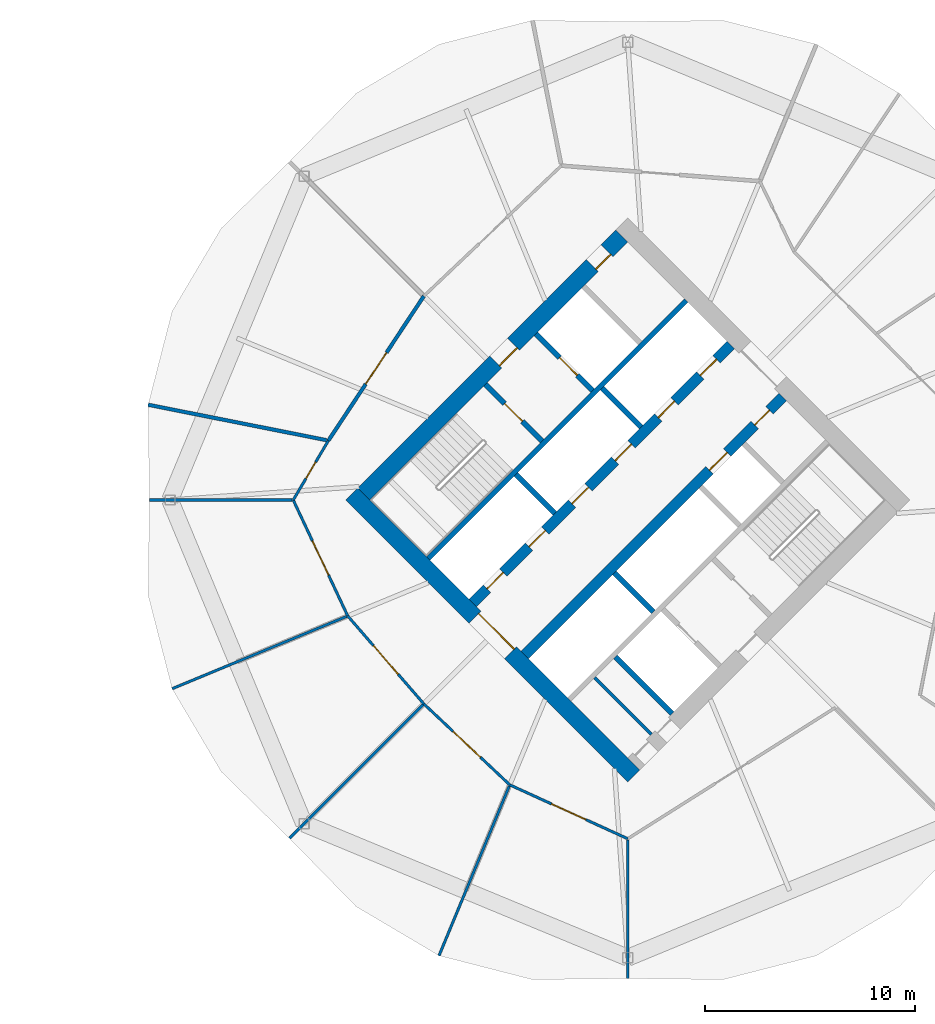
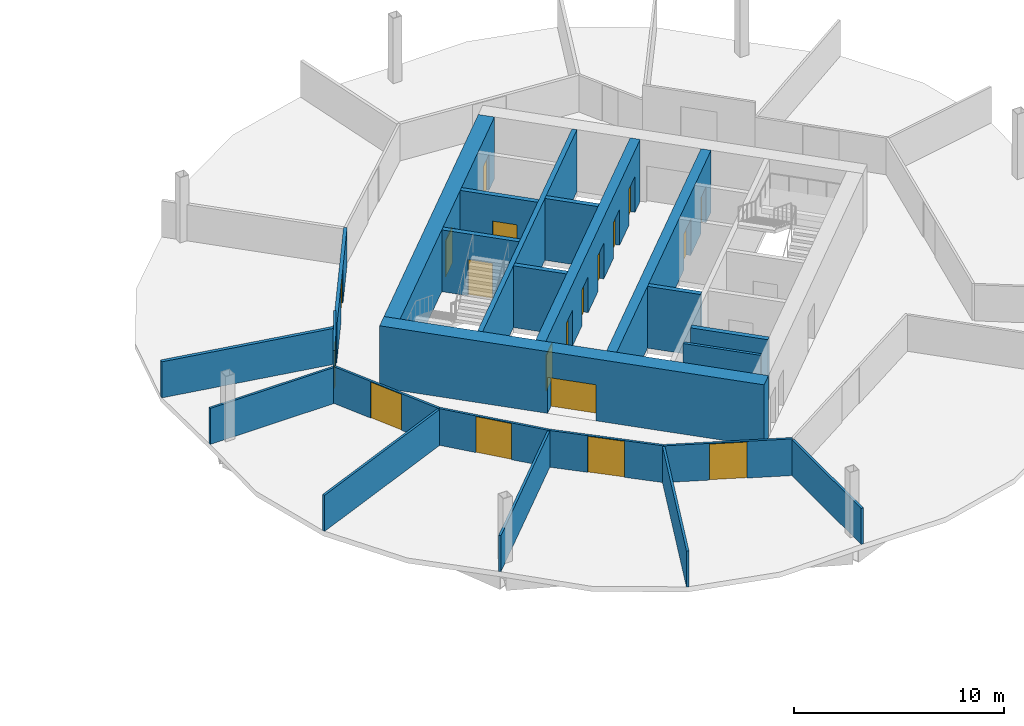
# One storey, part 6 of 9: 24 walls, 19 doors, 19 openings.
"""IFC4 building model written with IfcOpenShell, lengths in metres."""

from ifc_helpers import new_model, si_unit, direction, frame, frame_2d, origin, place, context, subcontext, project, spatial, rectangle, extrude, material, layer, layer_set, type_object, element, fill, save


model = new_model("IFC4")

# Units and contexts
model_context = context("Model", 3, precision=1e-05, world=origin(), true_north=direction((0.0, 1.0)))
body_context = subcontext(model_context, "Body", "Model", "MODEL_VIEW")
ifc_project = project(units=[si_unit("LENGTHUNIT", "METRE"), si_unit("AREAUNIT", "SQUARE_METRE"), si_unit("VOLUMEUNIT", "CUBIC_METRE"), si_unit("PLANEANGLEUNIT", "RADIAN"), si_unit("MASSUNIT", "GRAM", prefix="KILO")], contexts=[model_context])

# Site, building, storey
site_placement = place(None, origin())
site = spatial("IfcSite", under=ifc_project, at=site_placement, CompositionType="ELEMENT")
building_placement = place(site_placement, origin())
building = spatial("IfcBuilding", under=site, at=building_placement, Name="Ogive Gate Towers", CompositionType="ELEMENT")
storey_placement = place(building_placement, frame((0.0, 0.0, 48.0)))
storey = spatial("IfcBuildingStorey", under=building, at=storey_placement, Name="L10", CompositionType="ELEMENT", Elevation=48.0)

# Wall
ifc_material_1 = material(Name="Gypsum board acoustic partition")
ifc_layer_1 = layer(ifc_material_1, 0.175048828125)
ifc_layer_set_1 = layer_set([ifc_layer_1], Name="Acoustic partition 175")
wall_type_1 = type_object("IfcWallType", Name="Acoustic partition 175", PredefinedType="PARTITIONING", material=ifc_layer_set_1)
wall_1_placement = place(storey_placement, frame((13.146728515625, 4.5380859375, 0.0), z_axis=(0.0, 0.0, 1.0), x_axis=(0.980848307459, -0.194773195677, 0.0)))
element("IfcWall", 1, at=wall_1_placement, inside=storey, type_object=wall_type_1, Name="Partition T2-L10-007", PredefinedType="PARTITIONING", context=body_context, shape_type="SweptSolid", body=[
    extrude(rectangle(XDim=8.67138671875, YDim=0.175048828125, at=frame_2d((4.335693359375, 0.0))), origin(), (0.0, 0.0, 1.0), 2.10009765625),
])

# Wall, opening, door
wall_2_placement = place(storey_placement, frame((26.284423828125, 9.715576171875, 0.0), z_axis=(0.0, 0.0, 1.0), x_axis=(-0.551136963792, -0.834414793219, 0.0)))
wall_2 = element("IfcWall", 2, at=wall_2_placement, inside=storey, type_object=wall_type_1, Name="Partition T2-L10-021", PredefinedType="PARTITIONING", context=body_context, shape_type="SweptSolid", body=[
    extrude(rectangle(XDim=8.24951171875, YDim=0.175048828125, at=frame_2d((4.124755859375, 0.0))), origin(), (0.0, 0.0, 1.0), 2.139892578125),
])
opening_1_placement = place(wall_2_placement, frame((3.22509765625, 0.0, 0.0)))
opening_1 = element("IfcOpeningElement", 3, at=opening_1_placement, cuts=wall_2, Name="Opening T2-L10-D07", PredefinedType="OPENING", context=body_context, shape_type="SweptSolid", body=[
    extrude(rectangle(XDim=1.800048828125, YDim=2.10009765625, at=frame_2d((0.89990234375, 1.050048828125))), frame((0.0, 0.09765625, 0.0), z_axis=(0.0, -1.0, 0.0), x_axis=(1.0, 0.0, 0.0)), (0.0, 0.0, 1.0), 0.195068359375),
])
ifc_material_2 = material(Name="Timber door", Category="wood")
door_type_1 = type_object("IfcDoorType", Name="Door pair 1800", OperationType="NOTDEFINED", PredefinedType="DOOR", material=ifc_material_2)
door_1_placement = place(opening_1_placement, origin())
door_1 = element("IfcDoor", 4, at=door_1_placement, inside=storey, type_object=door_type_1, Name="Door T2-L10-D07", OperationType="DOUBLE_DOOR_DOUBLE_SWING", OverallHeight=2.10009765625, OverallWidth=1.800048828125, PredefinedType="DOOR", context=body_context, shape_type="SweptSolid", body=[
    extrude(rectangle(XDim=1.800048828125, YDim=2.10009765625, at=frame_2d((0.89990234375, 1.050048828125))), frame((0.0, 0.02490234375, 0.0), z_axis=(0.0, -1.0, 0.0), x_axis=(1.0, 0.0, 0.0)), (0.0, 0.0, 1.0), 0.050048828125),
])
fill(opening_1, door_1)

# Wall, openings, doors
ifc_material_3 = material(Name="Concrete C60/75", Category="concrete")
ifc_layer_2 = layer(ifc_material_3, 0.800048828125)
ifc_layer_set_2 = layer_set([ifc_layer_2], Name="Core wall 800 mm")
wall_type_2 = type_object("IfcWallType", Name="Core wall 800 mm", PredefinedType="SHEAR", material=ifc_layer_set_2)
wall_3_placement = place(storey_placement, frame((23.41357421875, 0.28271484375, 0.0), z_axis=(0.0, 0.0, 1.0), x_axis=(0.707106781187, 0.707106781187, 0.0)))
wall_3 = element("IfcWall", 5, at=wall_3_placement, inside=storey, type_object=wall_type_2, Name="T2 L10 Core wall 800 mm", PredefinedType="SHEAR", context=body_context, shape_type="SweptSolid", body=[
    extrude(rectangle(XDim=17.400146484375, YDim=0.800048828125, at=frame_2d((8.7001953125, 0.0))), origin(), (0.0, 0.0, 1.0), 3.60009765625),
])
opening_2_placement = place(wall_3_placement, frame((8.89990234375, 0.0, 0.0)))
opening_2 = element("IfcOpeningElement", 6, at=opening_2_placement, cuts=wall_3, Name="Opening KD-T2-L10-15", PredefinedType="OPENING", context=body_context, shape_type="SweptSolid", body=[
    extrude(rectangle(XDim=1.199951171875, YDim=2.10009765625, at=frame_2d((0.60009765625, 1.050048828125))), frame((0.0, 0.41015625, 0.0), z_axis=(0.0, -1.0, 0.0), x_axis=(1.0, 0.0, 0.0)), (0.0, 0.0, 1.0), 0.820068359375),
])
opening_3_placement = place(wall_3_placement, frame((15.39990234375, 0.0, 0.0)))
opening_3 = element("IfcOpeningElement", 7, at=opening_3_placement, cuts=wall_3, Name="Opening KD-T2-L10-17", PredefinedType="OPENING", context=body_context, shape_type="SweptSolid", body=[
    extrude(rectangle(XDim=1.0, YDim=2.10009765625, at=frame_2d((0.5, 1.050048828125))), frame((0.0, 0.41015625, 0.0), z_axis=(0.0, -1.0, 0.0), x_axis=(1.0, 0.0, 0.0)), (0.0, 0.0, 1.0), 0.820068359375),
])
door_type_2 = type_object("IfcDoorType", Name="Accessible WC door 1000 x 2100", OperationType="NOTDEFINED", PredefinedType="DOOR", material=ifc_material_2)
door_2_placement = place(opening_3_placement, origin())
door_2 = element("IfcDoor", 8, at=door_2_placement, inside=storey, type_object=door_type_2, Name="T2 L10 Core door", OperationType="SINGLE_SWING_RIGHT", OverallHeight=2.10009765625, OverallWidth=1.0, PredefinedType="DOOR", context=body_context, shape_type="SweptSolid", body=[
    extrude(rectangle(XDim=1.0, YDim=2.10009765625, at=frame_2d((0.5, 1.050048828125))), frame((0.0, -0.22509765625, 0.0), z_axis=(0.0, -1.0, 0.0), x_axis=(1.0, 0.0, 0.0)), (0.0, 0.0, 1.0), 0.050048828125),
])
fill(opening_3, door_2)
ifc_material_4 = material(Name="Steel fire door", Category="steel")
door_type_3 = type_object("IfcDoorType", Name="Core door FD60S 1200 x 2100", OperationType="NOTDEFINED", PredefinedType="DOOR", material=ifc_material_4)
door_3_placement = place(opening_2_placement, origin())
door_3 = element("IfcDoor", 9, at=door_3_placement, inside=storey, type_object=door_type_3, Name="T2 L10 Fire-fighting lobby door", OperationType="SINGLE_SWING_RIGHT", OverallHeight=2.10009765625, OverallWidth=1.199951171875, PredefinedType="DOOR", context=body_context, shape_type="SweptSolid", body=[
    extrude(rectangle(XDim=1.199951171875, YDim=2.10009765625, at=frame_2d((0.60009765625, 1.050048828125))), frame((0.0, -0.22509765625, 0.0), z_axis=(0.0, -1.0, 0.0), x_axis=(1.0, 0.0, 0.0)), (0.0, 0.0, 1.0), 0.050048828125),
])
fill(opening_2, door_3)

# Wall, opening, door
wall_4_placement = place(storey_placement, frame((36.28271484375, -13.152099609375, 0.0), z_axis=(0.0, 0.0, 1.0), x_axis=(-0.707106781187, 0.707106781187, 0.0)))
wall_4 = element("IfcWall", 10, at=wall_4_placement, inside=storey, type_object=wall_type_2, Name="T2 L10 Core wall 800 mm", PredefinedType="SHEAR", context=body_context, shape_type="SweptSolid", body=[
    extrude(rectangle(XDim=18.999755859375, YDim=0.800048828125, at=frame_2d((9.5, 0.0))), origin(), (0.0, 0.0, 1.0), 3.60009765625),
])
opening_4_placement = place(wall_4_placement, frame((8.300048828125, 0.0, 0.0)))
opening_4 = element("IfcOpeningElement", 11, at=opening_4_placement, cuts=wall_4, Name="Opening KD-T2-L10-01", PredefinedType="OPENING", context=body_context, shape_type="SweptSolid", body=[
    extrude(rectangle(XDim=2.39990234375, YDim=2.10009765625, at=frame_2d((1.199951171875, 1.050048828125))), frame((0.0, 0.41015625, 0.0), z_axis=(0.0, -1.0, 0.0), x_axis=(1.0, 0.0, 0.0)), (0.0, 0.0, 1.0), 0.820068359375),
])
door_type_4 = type_object("IfcDoorType", Name="Core double door FD60S 2400 x 2100", OperationType="DOUBLE_DOOR_SINGLE_SWING", PredefinedType="DOOR", material=ifc_material_4)
door_4_placement = place(opening_4_placement, origin())
door_4 = element("IfcDoor", 12, at=door_4_placement, inside=storey, type_object=door_type_4, Name="T2 L10 Core door double", OperationType="DOUBLE_DOOR_SINGLE_SWING", OverallHeight=2.10009765625, OverallWidth=2.39990234375, PredefinedType="DOOR", context=body_context, shape_type="SweptSolid", body=[
    extrude(rectangle(XDim=2.39990234375, YDim=2.10009765625, at=frame_2d((1.199951171875, 1.050048828125))), frame((0.0, -0.22509765625, 0.0), z_axis=(0.0, -1.0, 0.0), x_axis=(1.0, 0.0, 0.0)), (0.0, 0.0, 1.0), 0.050048828125),
])
fill(opening_4, door_4)

# Walls
ifc_material_5 = material(Name="Gypsum board partition")
ifc_layer_3 = layer(ifc_material_5, 0.125)
ifc_layer_set_3 = layer_set([ifc_layer_3], Name="Partition 125")
wall_type_3 = type_object("IfcWallType", Name="Partition 125", PredefinedType="PARTITIONING", material=ifc_layer_set_3)
wall_5_placement = place(storey_placement, frame((13.200927734375, 0.0, 0.0), z_axis=(0.0, 0.0, 1.0), x_axis=(1.0, 0.0, 0.0)))
element("IfcWall", 13, at=wall_5_placement, inside=storey, type_object=wall_type_3, Name="Partition T2-L10-008", PredefinedType="PARTITIONING", context=body_context, shape_type="SweptSolid", body=[
    extrude(rectangle(XDim=6.796630859375, YDim=0.125, at=frame_2d((3.3984375, 0.0))), origin(), (0.0, 0.0, 1.0), 2.10009765625),
])
for number, where, z_axis, x_axis, name in (
    (14, (14.288818359375, -8.992919921875, 0.0), (0.0, 0.0, 1.0), (0.923888174314, 0.382662568542, 0.0), "Partition T2-L10-009"),
    (15, (19.878662109375, -16.121337890625, 0.0), (0.0, 0.0, 1.0), (0.707106781187, 0.707106781187, 0.0), "Partition T2-L10-010"),
):
    element("IfcWall", number, at=place(storey_placement, frame(where, z_axis=z_axis, x_axis=x_axis)), inside=storey, type_object=wall_type_3, Name=name, PredefinedType="PARTITIONING", context=body_context, shape_type="SweptSolid", body=[
        extrude(rectangle(XDim=8.99658203125, YDim=0.125, at=frame_2d((4.498291015625, 0.0))), origin(), (0.0, 0.0, 1.0), 2.10009765625),
    ])
wall_6_placement = place(storey_placement, frame((27.007080078125, -21.711181640625, 0.0), z_axis=(0.0, 0.0, 1.0), x_axis=(0.382668172196, 0.923885853333, 0.0)))
element("IfcWall", 16, at=wall_6_placement, inside=storey, type_object=wall_type_3, Name="Partition T2-L10-011", PredefinedType="PARTITIONING", context=body_context, shape_type="SweptSolid", body=[
    extrude(rectangle(XDim=8.746337890625, YDim=0.125, at=frame_2d((4.373046875, 0.0))), origin(), (0.0, 0.0, 1.0), 2.10009765625),
])
wall_7_placement = place(storey_placement, frame((36.0, -22.799072265625, 0.0), z_axis=(0.0, 0.0, 1.0), x_axis=(0.0, 1.0, 0.0)))
element("IfcWall", 17, at=wall_7_placement, inside=storey, type_object=wall_type_3, Name="Partition T2-L10-012", PredefinedType="PARTITIONING", context=body_context, shape_type="SweptSolid", body=[
    extrude(rectangle(XDim=6.5966796875, YDim=0.125, at=frame_2d((3.29833984375, 0.0))), origin(), (0.0, 0.0, 1.0), 2.10009765625),
])

# Wall, opening, door
wall_8_placement = place(storey_placement, frame((21.73779296875, 2.83203125, 0.0), z_axis=(0.0, 0.0, 1.0), x_axis=(-0.509688534726, -0.860358993426, 0.0)))
wall_8 = element("IfcWall", 18, at=wall_8_placement, inside=storey, type_object=wall_type_3, Name="Partition T2-L10-022", PredefinedType="PARTITIONING", context=body_context, shape_type="SweptSolid", body=[
    extrude(rectangle(XDim=3.291748046875, YDim=0.125, at=frame_2d((1.64599609375, 0.0))), origin(), (0.0, 0.0, 1.0), 3.050048828125),
])
opening_5_placement = place(wall_8_placement, frame((1.196044921875, 0.0, 0.0)))
opening_5 = element("IfcOpeningElement", 19, at=opening_5_placement, cuts=wall_8, Name="Opening T2-L10-D08", PredefinedType="OPENING", context=body_context, shape_type="SweptSolid", body=[
    extrude(rectangle(XDim=0.89990234375, YDim=2.10009765625, at=frame_2d((0.449951171875, 1.050048828125))), frame((0.0, 0.072509765625, 0.0), z_axis=(0.0, -1.0, 0.0), x_axis=(1.0, 0.0, 0.0)), (0.0, 0.0, 1.0), 0.14501953125),
])
door_type_5 = type_object("IfcDoorType", Name="Door 900", OperationType="NOTDEFINED", PredefinedType="DOOR", material=ifc_material_2)
door_5_placement = place(opening_5_placement, origin())
door_5 = element("IfcDoor", 20, at=door_5_placement, inside=storey, type_object=door_type_5, Name="Door T2-L10-D08", OperationType="SINGLE_SWING_RIGHT", OverallHeight=2.10009765625, OverallWidth=0.89990234375, PredefinedType="DOOR", context=body_context, shape_type="SweptSolid", body=[
    extrude(rectangle(XDim=0.89990234375, YDim=2.10009765625, at=frame_2d((0.449951171875, 1.050048828125))), frame((0.0, 0.02490234375, 0.0), z_axis=(0.0, -1.0, 0.0), x_axis=(1.0, 0.0, 0.0)), (0.0, 0.0, 1.0), 0.050048828125),
])
fill(opening_5, door_5)

wall_9_placement = place(storey_placement, frame((20.06005859375, 0.0, 0.0), z_axis=(0.0, 0.0, 1.0), x_axis=(0.425461994667, -0.904976293111, 0.0)))
wall_9 = element("IfcWall", 21, at=wall_9_placement, inside=storey, type_object=wall_type_3, Name="Partition T2-L10-023", PredefinedType="PARTITIONING", context=body_context, shape_type="SweptSolid", body=[
    extrude(rectangle(XDim=6.106689453125, YDim=0.125, at=frame_2d((3.05322265625, 0.0))), origin(), (0.0, 0.0, 1.0), 2.139892578125),
])
opening_6_placement = place(wall_9_placement, frame((2.153076171875, 0.0, 0.0)))
opening_6 = element("IfcOpeningElement", 22, at=opening_6_placement, cuts=wall_9, Name="Opening T2-L10-D09", PredefinedType="OPENING", context=body_context, shape_type="SweptSolid", body=[
    extrude(rectangle(XDim=1.800048828125, YDim=2.10009765625, at=frame_2d((0.89990234375, 1.050048828125))), frame((0.0, 0.072509765625, 0.0), z_axis=(0.0, -1.0, 0.0), x_axis=(1.0, 0.0, 0.0)), (0.0, 0.0, 1.0), 0.14501953125),
])
door_6_placement = place(opening_6_placement, origin())
door_6 = element("IfcDoor", 23, at=door_6_placement, inside=storey, type_object=door_type_1, Name="Door T2-L10-D09", OperationType="DOUBLE_DOOR_DOUBLE_SWING", OverallHeight=2.10009765625, OverallWidth=1.800048828125, PredefinedType="DOOR", context=body_context, shape_type="SweptSolid", body=[
    extrude(rectangle(XDim=1.800048828125, YDim=2.10009765625, at=frame_2d((0.89990234375, 1.050048828125))), frame((0.0, 0.02490234375, 0.0), z_axis=(0.0, -1.0, 0.0), x_axis=(1.0, 0.0, 0.0)), (0.0, 0.0, 1.0), 0.050048828125),
])
fill(opening_6, door_6)

wall_10_placement = place(storey_placement, frame((22.658203125, -5.5263671875, 0.0), z_axis=(0.0, 0.0, 1.0), x_axis=(0.654474127671, -0.756084397544, 0.0)))
wall_10 = element("IfcWall", 24, at=wall_10_placement, inside=storey, type_object=wall_type_3, Name="Partition T2-L10-024", PredefinedType="PARTITIONING", context=body_context, shape_type="SweptSolid", body=[
    extrude(rectangle(XDim=5.540771484375, YDim=0.125, at=frame_2d((2.7705078125, 0.0))), origin(), (0.0, 0.0, 1.0), 2.139892578125),
])
opening_7_placement = place(wall_10_placement, frame((1.8701171875, 0.0, 0.0)))
opening_7 = element("IfcOpeningElement", 25, at=opening_7_placement, cuts=wall_10, Name="Opening T2-L10-D10", PredefinedType="OPENING", context=body_context, shape_type="SweptSolid", body=[
    extrude(rectangle(XDim=1.800048828125, YDim=2.10009765625, at=frame_2d((0.89990234375, 1.050048828125))), frame((0.0, 0.072509765625, 0.0), z_axis=(0.0, -1.0, 0.0), x_axis=(1.0, 0.0, 0.0)), (0.0, 0.0, 1.0), 0.14501953125),
])
door_7_placement = place(opening_7_placement, origin())
door_7 = element("IfcDoor", 26, at=door_7_placement, inside=storey, type_object=door_type_1, Name="Door T2-L10-D10", OperationType="DOUBLE_DOOR_DOUBLE_SWING", OverallHeight=2.10009765625, OverallWidth=1.800048828125, PredefinedType="DOOR", context=body_context, shape_type="SweptSolid", body=[
    extrude(rectangle(XDim=1.800048828125, YDim=2.10009765625, at=frame_2d((0.89990234375, 1.050048828125))), frame((0.0, 0.02490234375, 0.0), z_axis=(0.0, -1.0, 0.0), x_axis=(1.0, 0.0, 0.0)), (0.0, 0.0, 1.0), 0.050048828125),
])
fill(opening_7, door_7)

wall_11_placement = place(storey_placement, frame((26.284423828125, -9.715576171875, 0.0), z_axis=(0.0, 0.0, 1.0), x_axis=(0.727803553967, -0.685785671207, 0.0)))
wall_11 = element("IfcWall", 27, at=wall_11_placement, inside=storey, type_object=wall_type_3, Name="Partition T2-L10-025", PredefinedType="PARTITIONING", context=body_context, shape_type="SweptSolid", body=[
    extrude(rectangle(XDim=5.62451171875, YDim=0.125, at=frame_2d((2.812255859375, 0.0))), origin(), (0.0, 0.0, 1.0), 2.139892578125),
])
opening_8_placement = place(wall_11_placement, frame((1.912109375, 0.0, 0.0)))
opening_8 = element("IfcOpeningElement", 28, at=opening_8_placement, cuts=wall_11, Name="Opening T2-L10-D11", PredefinedType="OPENING", context=body_context, shape_type="SweptSolid", body=[
    extrude(rectangle(XDim=1.800048828125, YDim=2.10009765625, at=frame_2d((0.89990234375, 1.050048828125))), frame((0.0, 0.072509765625, 0.0), z_axis=(0.0, -1.0, 0.0), x_axis=(1.0, 0.0, 0.0)), (0.0, 0.0, 1.0), 0.14501953125),
])
door_8_placement = place(opening_8_placement, origin())
door_8 = element("IfcDoor", 29, at=door_8_placement, inside=storey, type_object=door_type_1, Name="Door T2-L10-D11", OperationType="DOUBLE_DOOR_DOUBLE_SWING", OverallHeight=2.10009765625, OverallWidth=1.800048828125, PredefinedType="DOOR", context=body_context, shape_type="SweptSolid", body=[
    extrude(rectangle(XDim=1.800048828125, YDim=2.10009765625, at=frame_2d((0.89990234375, 1.050048828125))), frame((0.0, 0.02490234375, 0.0), z_axis=(0.0, -1.0, 0.0), x_axis=(1.0, 0.0, 0.0)), (0.0, 0.0, 1.0), 0.050048828125),
])
fill(opening_8, door_8)

wall_12_placement = place(storey_placement, frame((30.3779296875, -13.57275390625, 0.0), z_axis=(0.0, 0.0, 1.0), x_axis=(0.909654910029, -0.415364833201, 0.0)))
wall_12 = element("IfcWall", 30, at=wall_12_placement, inside=storey, type_object=wall_type_3, Name="Partition T2-L10-026", PredefinedType="PARTITIONING", context=body_context, shape_type="SweptSolid", body=[
    extrude(rectangle(XDim=6.180419921875, YDim=0.125, at=frame_2d((3.09033203125, 0.0))), origin(), (0.0, 0.0, 1.0), 2.139892578125),
])
opening_9_placement = place(wall_12_placement, frame((2.18994140625, 0.0, 0.0)))
opening_9 = element("IfcOpeningElement", 31, at=opening_9_placement, cuts=wall_12, Name="Opening T2-L10-D12", PredefinedType="OPENING", context=body_context, shape_type="SweptSolid", body=[
    extrude(rectangle(XDim=1.800048828125, YDim=2.10009765625, at=frame_2d((0.89990234375, 1.050048828125))), frame((0.0, 0.072509765625, 0.0), z_axis=(0.0, -1.0, 0.0), x_axis=(1.0, 0.0, 0.0)), (0.0, 0.0, 1.0), 0.14501953125),
])
door_9_placement = place(opening_9_placement, origin())
door_9 = element("IfcDoor", 32, at=door_9_placement, inside=storey, type_object=door_type_1, Name="Door T2-L10-D12", OperationType="DOUBLE_DOOR_DOUBLE_SWING", OverallHeight=2.10009765625, OverallWidth=1.800048828125, PredefinedType="DOOR", context=body_context, shape_type="SweptSolid", body=[
    extrude(rectangle(XDim=1.800048828125, YDim=2.10009765625, at=frame_2d((0.89990234375, 1.050048828125))), frame((0.0, 0.02490234375, 0.0), z_axis=(0.0, -1.0, 0.0), x_axis=(1.0, 0.0, 0.0)), (0.0, 0.0, 1.0), 0.050048828125),
])
fill(opening_9, door_9)

# Walls
ifc_layer_4 = layer(ifc_material_5, 0.14990234375)
ifc_layer_set_4 = layer_set([ifc_layer_4], Name="Room partition 150 mm")
wall_type_4 = type_object("IfcWallType", Name="Room partition 150 mm", PredefinedType="PARTITIONING", material=ifc_layer_set_4)
wall_13_placement = place(storey_placement, frame((37.13134765625, -11.17236328125, 0.0), z_axis=(0.0, 0.0, 1.0), x_axis=(-0.707074866995, 0.707138693938, 0.0)))
element("IfcWall", 33, at=wall_13_placement, inside=storey, type_object=wall_type_4, Name="T2 L10 Room partition 150 mm", PredefinedType="PARTITIONING", context=body_context, shape_type="SweptSolid", body=[
    extrude(rectangle(XDim=3.824951171875, YDim=0.14990234375, at=frame_2d((1.91259765625, 0.0))), origin(), (0.0, 0.0, 1.0), 3.60009765625),
])
ifc_layer_5 = layer(ifc_material_3, 0.25)
ifc_layer_set_5 = layer_set([ifc_layer_5], Name="Shaft wall 250 mm")
wall_type_5 = type_object("IfcWallType", Name="Shaft wall 250 mm", PredefinedType="SHEAR", material=ifc_layer_set_5)
wall_14_placement = place(storey_placement, frame((26.489501953125, -2.793212890625, 0.0), z_axis=(0.0, 0.0, 1.0), x_axis=(0.707106781187, 0.707106781187, 0.0)))
element("IfcWall", 34, at=wall_14_placement, inside=storey, type_object=wall_type_5, Name="T2 L10 Shaft wall 250 mm", PredefinedType="SHEAR", context=body_context, shape_type="SweptSolid", body=[
    extrude(rectangle(XDim=17.400146484375, YDim=0.25, at=frame_2d((8.7001953125, 0.0))), origin(), (0.0, 0.0, 1.0), 3.60009765625),
])
wall_15_placement = place(storey_placement, frame((38.121337890625, -10.182373046875, 0.0), z_axis=(0.0, 0.0, 1.0), x_axis=(-0.707138693938, 0.707074866995, 0.0)))
element("IfcWall", 35, at=wall_15_placement, inside=storey, type_object=wall_type_5, Name="T2 L10 Shaft wall 250 mm", PredefinedType="SHEAR", context=body_context, shape_type="SweptSolid", body=[
    extrude(rectangle(XDim=3.824951171875, YDim=0.25, at=frame_2d((1.91259765625, 0.0))), origin(), (0.0, 0.0, 1.0), 3.60009765625),
])
for number, where, z_axis, x_axis, name in (
    (36, (37.2197265625, -5.321044921875, 0.0), (0.0, 0.0, 1.0), (-0.707106781187, 0.707106781187, 0.0), "T2 L10 Shaft wall 250 mm"),
    (37, (32.53515625, -0.636474609375, 0.0), (0.0, 0.0, 1.0), (-0.707106781187, 0.707106781187, 0.0), "T2 L10 Shaft wall 250 mm"),
):
    element("IfcWall", number, at=place(storey_placement, frame(where, z_axis=z_axis, x_axis=x_axis)), inside=storey, type_object=wall_type_5, Name=name, PredefinedType="SHEAR", context=body_context, shape_type="SweptSolid", body=[
        extrude(rectangle(XDim=2.625, YDim=0.25, at=frame_2d((1.3125, 0.0))), origin(), (0.0, 0.0, 1.0), 3.60009765625),
    ])

# Wall, opening, door
wall_16_placement = place(storey_placement, frame((31.91650390625, 2.810791015625, 0.0), z_axis=(0.0, 0.0, 1.0), x_axis=(-0.707106781187, 0.707106781187, 0.0)))
wall_16 = element("IfcWall", 38, at=wall_16_placement, inside=storey, type_object=wall_type_5, Name="T2 L10 Shaft wall 250 mm", PredefinedType="SHEAR", context=body_context, shape_type="SweptSolid", body=[
    extrude(rectangle(XDim=3.824951171875, YDim=0.25, at=frame_2d((1.91259765625, 0.0))), origin(), (0.0, 0.0, 1.0), 3.60009765625),
])
opening_10_placement = place(wall_16_placement, frame((1.324951171875, 0.0, 0.0)))
opening_10 = element("IfcOpeningElement", 39, at=opening_10_placement, cuts=wall_16, Name="Opening KD-T2-L10-13", PredefinedType="OPENING", context=body_context, shape_type="SweptSolid", body=[
    extrude(rectangle(XDim=1.199951171875, YDim=2.10009765625, at=frame_2d((0.60009765625, 1.050048828125))), frame((0.0, 0.135009765625, 0.0), z_axis=(0.0, -1.0, 0.0), x_axis=(1.0, 0.0, 0.0)), (0.0, 0.0, 1.0), 0.27001953125),
])
door_10_placement = place(opening_10_placement, origin())
door_10 = element("IfcDoor", 40, at=door_10_placement, inside=storey, type_object=door_type_3, Name="T2 L10 Stair door", OperationType="SINGLE_SWING_RIGHT", OverallHeight=2.10009765625, OverallWidth=1.199951171875, PredefinedType="DOOR", context=body_context, shape_type="SweptSolid", body=[
    extrude(rectangle(XDim=1.199951171875, YDim=2.10009765625, at=frame_2d((0.60009765625, 1.050048828125))), frame((0.0, 0.02490234375, 0.0), z_axis=(0.0, -1.0, 0.0), x_axis=(1.0, 0.0, 0.0)), (0.0, 0.0, 1.0), 0.050048828125),
])
fill(opening_10, door_10)

wall_17_placement = place(storey_placement, frame((34.320556640625, 5.21484375, 0.0), z_axis=(0.0, 0.0, 1.0), x_axis=(-0.707074866995, 0.707138693938, 0.0)))
wall_17 = element("IfcWall", 41, at=wall_17_placement, inside=storey, type_object=wall_type_5, Name="T2 L10 Shaft wall 250 mm", PredefinedType="SHEAR", context=body_context, shape_type="SweptSolid", body=[
    extrude(rectangle(XDim=3.824951171875, YDim=0.25, at=frame_2d((1.91259765625, 0.0))), origin(), (0.0, 0.0, 1.0), 3.60009765625),
])
opening_11_placement = place(wall_17_placement, frame((1.02490234375, 0.0, 0.0)))
opening_11 = element("IfcOpeningElement", 42, at=opening_11_placement, cuts=wall_17, Name="Opening LD-T2-L10-10", PredefinedType="OPENING", context=body_context, shape_type="SweptSolid", body=[
    extrude(rectangle(XDim=1.199951171875, YDim=2.10009765625, at=frame_2d((0.60009765625, 1.050048828125))), frame((0.0, 0.135009765625, 0.0), z_axis=(0.0, -1.0, 0.0), x_axis=(1.0, 0.0, 0.0)), (0.0, 0.0, 1.0), 0.27001953125),
])
ifc_material_6 = material(Name="Stainless steel landing door", Category="steel")
door_type_6 = type_object("IfcDoorType", Name="Landing door 1200 x 2100", OperationType="SLIDING_TO_LEFT", PredefinedType="DOOR", material=ifc_material_6)
door_11_placement = place(opening_11_placement, origin())
door_11 = element("IfcDoor", 43, at=door_11_placement, inside=storey, type_object=door_type_6, Name="T2 L10 Lift landing door FF1", OperationType="SLIDING_TO_LEFT", OverallHeight=2.10009765625, OverallWidth=1.199951171875, PredefinedType="DOOR", context=body_context, shape_type="SweptSolid", body=[
    extrude(rectangle(XDim=1.199951171875, YDim=2.10009765625, at=frame_2d((0.60009765625, 1.050048828125))), frame((0.0, 0.02490234375, 0.0), z_axis=(0.0, -1.0, 0.0), x_axis=(1.0, 0.0, 0.0)), (0.0, 0.0, 1.0), 0.050048828125),
])
fill(opening_11, door_11)

# Wall
wall_18_placement = place(storey_placement, frame((36.636474609375, 3.46484375, 0.0), z_axis=(0.0, 0.0, 1.0), x_axis=(-0.707106781187, 0.707106781187, 0.0)))
element("IfcWall", 44, at=wall_18_placement, inside=storey, type_object=wall_type_5, Name="T2 L10 Shaft wall 250 mm", PredefinedType="SHEAR", context=body_context, shape_type="SweptSolid", body=[
    extrude(rectangle(XDim=2.625, YDim=0.25, at=frame_2d((1.3125, 0.0))), origin(), (0.0, 0.0, 1.0), 3.60009765625),
])

# Wall, openings, doors
ifc_layer_6 = layer(ifc_material_3, 0.5)
ifc_layer_set_6 = layer_set([ifc_layer_6], Name="Spine wall 500 mm")
wall_type_6 = type_object("IfcWallType", Name="Spine wall 500 mm", PredefinedType="SHEAR", material=ifc_layer_set_6)
wall_19_placement = place(storey_placement, frame((31.085693359375, -7.389404296875, 0.0), z_axis=(0.0, 0.0, 1.0), x_axis=(0.707106781187, 0.707106781187, 0.0)))
wall_19 = element("IfcWall", 45, at=wall_19_placement, inside=storey, type_object=wall_type_6, Name="T2 L10 Spine wall 500 mm", PredefinedType="SHEAR", context=body_context, shape_type="SweptSolid", body=[
    extrude(rectangle(XDim=17.400146484375, YDim=0.5, at=frame_2d((8.7001953125, 0.0))), origin(), (0.0, 0.0, 1.0), 3.60009765625),
])
opening_12_placement = place(wall_19_placement, frame((12.449951171875, 0.0, 0.0)))
opening_12 = element("IfcOpeningElement", 46, at=opening_12_placement, cuts=wall_19, Name="Opening LD-T2-L10-09", PredefinedType="OPENING", context=body_context, shape_type="SweptSolid", body=[
    extrude(rectangle(XDim=1.199951171875, YDim=2.10009765625, at=frame_2d((0.60009765625, 1.050048828125))), frame((0.0, 0.260009765625, 0.0), z_axis=(0.0, -1.0, 0.0), x_axis=(1.0, 0.0, 0.0)), (0.0, 0.0, 1.0), 0.52001953125),
])
opening_13_placement = place(wall_19_placement, frame((15.5, 0.0, 0.0)))
opening_13 = element("IfcOpeningElement", 47, at=opening_13_placement, cuts=wall_19, Name="Opening KD-T2-L10-12", PredefinedType="OPENING", context=body_context, shape_type="SweptSolid", body=[
    extrude(rectangle(XDim=1.0, YDim=2.10009765625, at=frame_2d((0.5, 1.050048828125))), frame((0.0, 0.260009765625, 0.0), z_axis=(0.0, -1.0, 0.0), x_axis=(1.0, 0.0, 0.0)), (0.0, 0.0, 1.0), 0.52001953125),
])
door_type_7 = type_object("IfcDoorType", Name="Core door FD60S 1000 x 2100", OperationType="NOTDEFINED", PredefinedType="DOOR", material=ifc_material_4)
door_12_placement = place(opening_13_placement, origin())
door_12 = element("IfcDoor", 48, at=door_12_placement, inside=storey, type_object=door_type_7, Name="T2 L10 Core door", OperationType="SINGLE_SWING_LEFT", OverallHeight=2.10009765625, OverallWidth=1.0, PredefinedType="DOOR", context=body_context, shape_type="SweptSolid", body=[
    extrude(rectangle(XDim=1.0, YDim=2.10009765625, at=frame_2d((0.5, 1.050048828125))), frame((0.0, 0.02490234375, 0.0), z_axis=(0.0, -1.0, 0.0), x_axis=(1.0, 0.0, 0.0)), (0.0, 0.0, 1.0), 0.050048828125),
])
fill(opening_13, door_12)
door_13_placement = place(opening_12_placement, origin())
door_13 = element("IfcDoor", 49, at=door_13_placement, inside=storey, type_object=door_type_6, Name="T2 L10 Lift landing door SVC", OperationType="SLIDING_TO_LEFT", OverallHeight=2.10009765625, OverallWidth=1.199951171875, PredefinedType="DOOR", context=body_context, shape_type="SweptSolid", body=[
    extrude(rectangle(XDim=1.199951171875, YDim=2.10009765625, at=frame_2d((0.60009765625, 1.050048828125))), frame((0.0, 0.02490234375, 0.0), z_axis=(0.0, -1.0, 0.0), x_axis=(1.0, 0.0, 0.0)), (0.0, 0.0, 1.0), 0.050048828125),
])
fill(opening_12, door_13)

wall_20_placement = place(storey_placement, frame((28.610595703125, -4.914306640625, 0.0), z_axis=(0.0, 0.0, 1.0), x_axis=(0.707106781187, 0.707106781187, 0.0)))
wall_20 = element("IfcWall", 50, at=wall_20_placement, inside=storey, type_object=wall_type_6, Name="T2 L10 Spine wall 500 mm", PredefinedType="SHEAR", context=body_context, shape_type="SweptSolid", body=[
    extrude(rectangle(XDim=17.400146484375, YDim=0.5, at=frame_2d((8.7001953125, 0.0))), origin(), (0.0, 0.0, 1.0), 3.60009765625),
])
opening_14_placement = place(wall_20_placement, frame((0.96240234375, 0.0, 0.0)))
opening_14 = element("IfcOpeningElement", 51, at=opening_14_placement, cuts=wall_20, Name="Opening LD-T2-L10-03", PredefinedType="OPENING", context=body_context, shape_type="SweptSolid", body=[
    extrude(rectangle(XDim=1.10009765625, YDim=2.10009765625, at=frame_2d((0.550048828125, 1.050048828125))), frame((0.0, 0.260009765625, 0.0), z_axis=(0.0, -1.0, 0.0), x_axis=(1.0, 0.0, 0.0)), (0.0, 0.0, 1.0), 0.52001953125),
])
opening_15_placement = place(wall_20_placement, frame((3.800048828125, 0.0, 0.0)))
opening_15 = element("IfcOpeningElement", 52, at=opening_15_placement, cuts=wall_20, Name="Opening LD-T2-L10-04", PredefinedType="OPENING", context=body_context, shape_type="SweptSolid", body=[
    extrude(rectangle(XDim=1.10009765625, YDim=2.10009765625, at=frame_2d((0.550048828125, 1.050048828125))), frame((0.0, 0.260009765625, 0.0), z_axis=(0.0, -1.0, 0.0), x_axis=(1.0, 0.0, 0.0)), (0.0, 0.0, 1.0), 0.52001953125),
])
opening_16_placement = place(wall_20_placement, frame((6.699951171875, 0.0, 0.0)))
opening_16 = element("IfcOpeningElement", 53, at=opening_16_placement, cuts=wall_20, Name="Opening LD-T2-L10-05", PredefinedType="OPENING", context=body_context, shape_type="SweptSolid", body=[
    extrude(rectangle(XDim=1.10009765625, YDim=2.10009765625, at=frame_2d((0.550048828125, 1.050048828125))), frame((0.0, 0.260009765625, 0.0), z_axis=(0.0, -1.0, 0.0), x_axis=(1.0, 0.0, 0.0)), (0.0, 0.0, 1.0), 0.52001953125),
])
opening_17_placement = place(wall_20_placement, frame((9.60009765625, 0.0, 0.0)))
opening_17 = element("IfcOpeningElement", 54, at=opening_17_placement, cuts=wall_20, Name="Opening LD-T2-L10-06", PredefinedType="OPENING", context=body_context, shape_type="SweptSolid", body=[
    extrude(rectangle(XDim=1.10009765625, YDim=2.10009765625, at=frame_2d((0.550048828125, 1.050048828125))), frame((0.0, 0.260009765625, 0.0), z_axis=(0.0, -1.0, 0.0), x_axis=(1.0, 0.0, 0.0)), (0.0, 0.0, 1.0), 0.52001953125),
])
opening_18_placement = place(wall_20_placement, frame((12.5, 0.0, 0.0)))
opening_18 = element("IfcOpeningElement", 55, at=opening_18_placement, cuts=wall_20, Name="Opening LD-T2-L10-07", PredefinedType="OPENING", context=body_context, shape_type="SweptSolid", body=[
    extrude(rectangle(XDim=1.10009765625, YDim=2.10009765625, at=frame_2d((0.550048828125, 1.050048828125))), frame((0.0, 0.260009765625, 0.0), z_axis=(0.0, -1.0, 0.0), x_axis=(1.0, 0.0, 0.0)), (0.0, 0.0, 1.0), 0.52001953125),
])
opening_19_placement = place(wall_20_placement, frame((15.33740234375, 0.0, 0.0)))
opening_19 = element("IfcOpeningElement", 56, at=opening_19_placement, cuts=wall_20, Name="Opening LD-T2-L10-08", PredefinedType="OPENING", context=body_context, shape_type="SweptSolid", body=[
    extrude(rectangle(XDim=1.10009765625, YDim=2.10009765625, at=frame_2d((0.550048828125, 1.050048828125))), frame((0.0, 0.260009765625, 0.0), z_axis=(0.0, -1.0, 0.0), x_axis=(1.0, 0.0, 0.0)), (0.0, 0.0, 1.0), 0.52001953125),
])
door_type_8 = type_object("IfcDoorType", Name="Landing door 1100 x 2100", OperationType="SLIDING_TO_LEFT", PredefinedType="DOOR", material=ifc_material_6)
door_14_placement = place(opening_14_placement, origin())
door_14 = element("IfcDoor", 57, at=door_14_placement, inside=storey, type_object=door_type_8, Name="T2 L10 Lift landing door A1", OperationType="SLIDING_TO_LEFT", OverallHeight=2.10009765625, OverallWidth=1.10009765625, PredefinedType="DOOR", context=body_context, shape_type="SweptSolid", body=[
    extrude(rectangle(XDim=1.10009765625, YDim=2.10009765625, at=frame_2d((0.550048828125, 1.050048828125))), frame((0.0, 0.02490234375, 0.0), z_axis=(0.0, -1.0, 0.0), x_axis=(1.0, 0.0, 0.0)), (0.0, 0.0, 1.0), 0.050048828125),
])
fill(opening_14, door_14)
door_15_placement = place(opening_15_placement, origin())
door_15 = element("IfcDoor", 58, at=door_15_placement, inside=storey, type_object=door_type_8, Name="T2 L10 Lift landing door A2", OperationType="SLIDING_TO_LEFT", OverallHeight=2.10009765625, OverallWidth=1.10009765625, PredefinedType="DOOR", context=body_context, shape_type="SweptSolid", body=[
    extrude(rectangle(XDim=1.10009765625, YDim=2.10009765625, at=frame_2d((0.550048828125, 1.050048828125))), frame((0.0, 0.02490234375, 0.0), z_axis=(0.0, -1.0, 0.0), x_axis=(1.0, 0.0, 0.0)), (0.0, 0.0, 1.0), 0.050048828125),
])
fill(opening_15, door_15)
door_16_placement = place(opening_16_placement, origin())
door_16 = element("IfcDoor", 59, at=door_16_placement, inside=storey, type_object=door_type_8, Name="T2 L10 Lift landing door A3", OperationType="SLIDING_TO_LEFT", OverallHeight=2.10009765625, OverallWidth=1.10009765625, PredefinedType="DOOR", context=body_context, shape_type="SweptSolid", body=[
    extrude(rectangle(XDim=1.10009765625, YDim=2.10009765625, at=frame_2d((0.550048828125, 1.050048828125))), frame((0.0, 0.02490234375, 0.0), z_axis=(0.0, -1.0, 0.0), x_axis=(1.0, 0.0, 0.0)), (0.0, 0.0, 1.0), 0.050048828125),
])
fill(opening_16, door_16)
door_17_placement = place(opening_17_placement, origin())
door_17 = element("IfcDoor", 60, at=door_17_placement, inside=storey, type_object=door_type_8, Name="T2 L10 Lift landing door A4", OperationType="SLIDING_TO_LEFT", OverallHeight=2.10009765625, OverallWidth=1.10009765625, PredefinedType="DOOR", context=body_context, shape_type="SweptSolid", body=[
    extrude(rectangle(XDim=1.10009765625, YDim=2.10009765625, at=frame_2d((0.550048828125, 1.050048828125))), frame((0.0, 0.02490234375, 0.0), z_axis=(0.0, -1.0, 0.0), x_axis=(1.0, 0.0, 0.0)), (0.0, 0.0, 1.0), 0.050048828125),
])
fill(opening_17, door_17)
door_18_placement = place(opening_18_placement, origin())
door_18 = element("IfcDoor", 61, at=door_18_placement, inside=storey, type_object=door_type_8, Name="T2 L10 Lift landing door A5", OperationType="SLIDING_TO_LEFT", OverallHeight=2.10009765625, OverallWidth=1.10009765625, PredefinedType="DOOR", context=body_context, shape_type="SweptSolid", body=[
    extrude(rectangle(XDim=1.10009765625, YDim=2.10009765625, at=frame_2d((0.550048828125, 1.050048828125))), frame((0.0, 0.02490234375, 0.0), z_axis=(0.0, -1.0, 0.0), x_axis=(1.0, 0.0, 0.0)), (0.0, 0.0, 1.0), 0.050048828125),
])
fill(opening_18, door_18)
door_19_placement = place(opening_19_placement, origin())
door_19 = element("IfcDoor", 62, at=door_19_placement, inside=storey, type_object=door_type_8, Name="T2 L10 Lift landing door A6", OperationType="SLIDING_TO_LEFT", OverallHeight=2.10009765625, OverallWidth=1.10009765625, PredefinedType="DOOR", context=body_context, shape_type="SweptSolid", body=[
    extrude(rectangle(XDim=1.10009765625, YDim=2.10009765625, at=frame_2d((0.550048828125, 1.050048828125))), frame((0.0, 0.02490234375, 0.0), z_axis=(0.0, -1.0, 0.0), x_axis=(1.0, 0.0, 0.0)), (0.0, 0.0, 1.0), 0.050048828125),
])
fill(opening_19, door_19)

save(model, "model.ifc")
